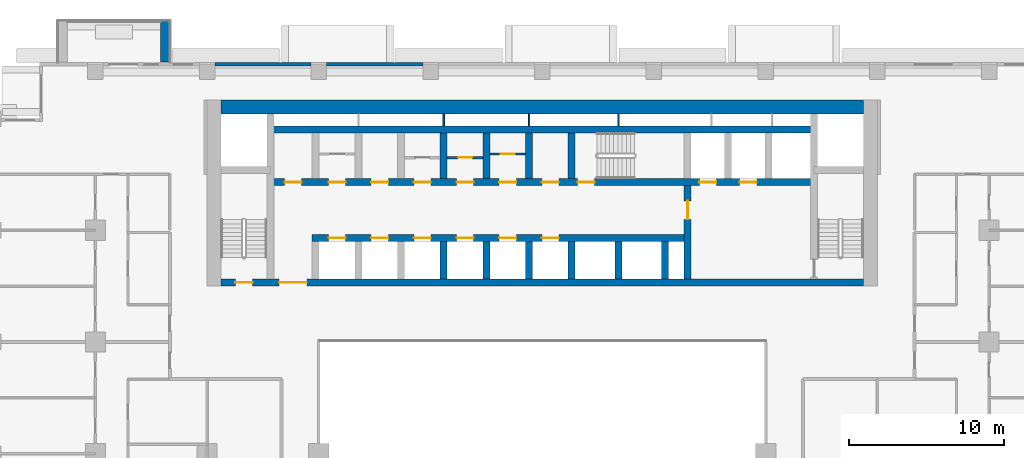
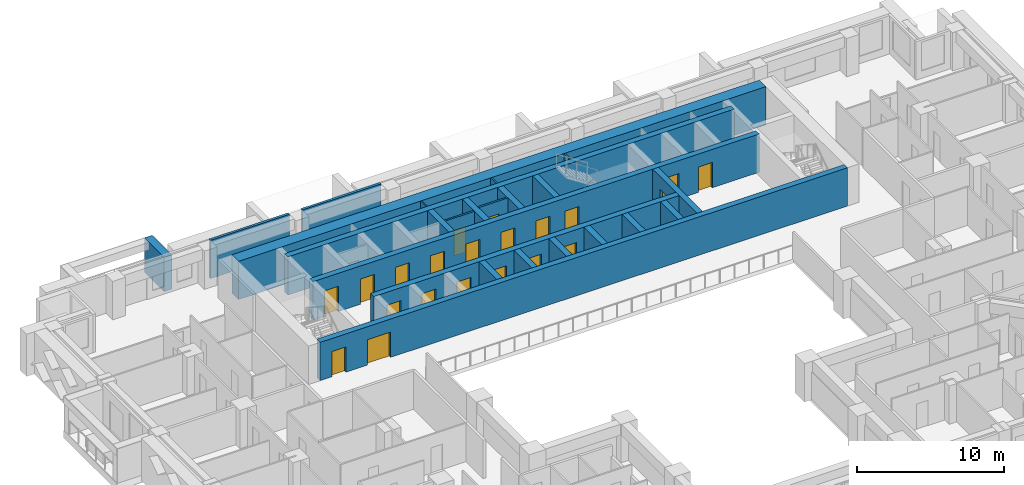
# One storey, part 10 of 17: 24 walls, 21 doors, 21 openings.
"""IFC4 building model written with IfcOpenShell, lengths in metres."""

from ifc_helpers import new_model, si_unit, direction, frame, frame_2d, origin, place, context, subcontext, project, spatial, rectangle, extrude, material, layer, layer_set, type_object, element, fill, save


model = new_model("IFC4")

# Units and contexts
model_context = context("Model", 3, precision=1e-05, world=origin(), true_north=direction((0.0, 1.0)))
body_context = subcontext(model_context, "Body", "Model", "MODEL_VIEW")
ifc_project = project(units=[si_unit("LENGTHUNIT", "METRE"), si_unit("AREAUNIT", "SQUARE_METRE"), si_unit("VOLUMEUNIT", "CUBIC_METRE"), si_unit("PLANEANGLEUNIT", "RADIAN"), si_unit("MASSUNIT", "GRAM", prefix="KILO")], contexts=[model_context])

# Site, building, storey
site_placement = place(None, origin())
site = spatial("IfcSite", under=ifc_project, at=site_placement, CompositionType="ELEMENT")
building_placement = place(site_placement, origin())
building = spatial("IfcBuilding", under=site, at=building_placement, Name="Saffron Iwan Residences", CompositionType="ELEMENT")
storey_placement = place(building_placement, frame((0.0, 0.0, 79.5)))
storey = spatial("IfcBuildingStorey", under=building, at=storey_placement, Name="L20", CompositionType="ELEMENT", Elevation=79.5)

# Wall
ifc_material_1 = material(Name="Concrete C50/60 white painted", Category="concrete")
ifc_layer_1 = layer(ifc_material_1, 0.60009765625)
ifc_layer_set_1 = layer_set([ifc_layer_1], Name="Concrete C50/60 white painted")
wall_type_1 = type_object("IfcWallType", Name="BALCONY FIN 600", PredefinedType="SOLIDWALL", material=ifc_layer_set_1)
wall_1_placement = place(storey_placement, frame((26.10009765625, 80.449951171875, 0.0), z_axis=(0.0, 0.0, 1.0), x_axis=(0.0, 1.0, 0.0)))
element("IfcWall", 1, at=wall_1_placement, inside=storey, type_object=wall_type_1, Name="Balcony fin L20 F5-3a", PredefinedType="SOLIDWALL", context=body_context, shape_type="SweptSolid", body=[
    extrude(rectangle(XDim=2.650146484375, YDim=0.60009765625, at=frame_2d((1.3251953125, 0.0))), origin(), (0.0, 0.0, 1.0), 2.85009765625),
])

# Wall, opening, door
ifc_material_2 = material(Name="Fire-rated plasterboard partition")
ifc_layer_2 = layer(ifc_material_2, 0.14990234375)
ifc_layer_set_2 = layer_set([ifc_layer_2], Name="Fire-rated plasterboard partition")
wall_type_2 = type_object("IfcWallType", Name="Core partition 150", PredefinedType="PARTITIONING", material=ifc_layer_set_2)
wall_2_placement = place(storey_placement, frame((44.27490234375, 74.281982421875, 0.0), z_axis=(0.0, 0.0, 1.0), x_axis=(1.0, 0.0, 0.0)))
wall_2 = element("IfcWall", 2, at=wall_2_placement, inside=storey, type_object=wall_type_2, Name="Core partition P03", PredefinedType="PARTITIONING", context=body_context, shape_type="SweptSolid", body=[
    extrude(rectangle(XDim=2.300048828125, YDim=0.14990234375, at=frame_2d((1.14990234375, 0.0))), origin(), (0.0, 0.0, 1.0), 3.179931640625),
])
opening_1_placement = place(wall_2_placement, frame((0.699951171875, 0.0, 0.0)))
opening_1 = element("IfcOpeningElement", 3, at=opening_1_placement, cuts=wall_2, Name="Opening SB", PredefinedType="OPENING", context=body_context, shape_type="SweptSolid", body=[
    extrude(rectangle(XDim=0.89990234375, YDim=2.10009765625, at=frame_2d((0.449951171875, 1.050048828125))), frame((0.0, 0.0849609375, 0.0), z_axis=(0.0, -1.0, 0.0), x_axis=(1.0, 0.0, 0.0)), (0.0, 0.0, 1.0), 0.169921875),
])
ifc_material_3 = material(Name="Steel fire door", Category="steel")
door_type_1 = type_object("IfcDoorType", Name="Store door 900", OperationType="NOTDEFINED", PredefinedType="DOOR", material=ifc_material_3)
door_1_placement = place(opening_1_placement, origin())
door_1 = element("IfcDoor", 4, at=door_1_placement, inside=storey, type_object=door_type_1, Name="Door Battery room", OperationType="SINGLE_SWING_RIGHT", OverallHeight=2.10009765625, OverallWidth=0.89990234375, PredefinedType="DOOR", context=body_context, shape_type="SweptSolid", body=[
    extrude(rectangle(XDim=0.89990234375, YDim=2.10009765625, at=frame_2d((0.449951171875, 1.050048828125))), frame((0.0, 0.02490234375, 0.0), z_axis=(0.0, -1.0, 0.0), x_axis=(1.0, 0.0, 0.0)), (0.0, 0.0, 1.0), 0.050048828125),
])
fill(opening_1, door_1)

wall_3_placement = place(storey_placement, frame((47.02490234375, 74.51806640625, 0.0), z_axis=(0.0, 0.0, 1.0), x_axis=(1.0, 0.0, 0.0)))
wall_3 = element("IfcWall", 5, at=wall_3_placement, inside=storey, type_object=wall_type_2, Name="Core partition P04", PredefinedType="PARTITIONING", context=body_context, shape_type="SweptSolid", body=[
    extrude(rectangle(XDim=2.300048828125, YDim=0.14990234375, at=frame_2d((1.14990234375, 0.0))), origin(), (0.0, 0.0, 1.0), 3.179931640625),
])
opening_2_placement = place(wall_3_placement, frame((0.699951171875, 0.0, 0.0)))
opening_2 = element("IfcOpeningElement", 6, at=opening_2_placement, cuts=wall_3, Name="Opening SB", PredefinedType="OPENING", context=body_context, shape_type="SweptSolid", body=[
    extrude(rectangle(XDim=0.89990234375, YDim=2.10009765625, at=frame_2d((0.449951171875, 1.050048828125))), frame((0.0, 0.0849609375, 0.0), z_axis=(0.0, -1.0, 0.0), x_axis=(1.0, 0.0, 0.0)), (0.0, 0.0, 1.0), 0.169921875),
])
door_2_placement = place(opening_2_placement, origin())
door_2 = element("IfcDoor", 7, at=door_2_placement, inside=storey, type_object=door_type_1, Name="Door Records store", OperationType="SINGLE_SWING_RIGHT", OverallHeight=2.10009765625, OverallWidth=0.89990234375, PredefinedType="DOOR", context=body_context, shape_type="SweptSolid", body=[
    extrude(rectangle(XDim=0.89990234375, YDim=2.10009765625, at=frame_2d((0.449951171875, 1.050048828125))), frame((0.0, 0.02490234375, 0.0), z_axis=(0.0, -1.0, 0.0), x_axis=(1.0, 0.0, 0.0)), (0.0, 0.0, 1.0), 0.050048828125),
])
fill(opening_2, door_2)

# Walls
ifc_material_4 = material(Name="Concrete C40/50", Category="concrete")
ifc_layer_3 = layer(ifc_material_4, 0.199951171875)
ifc_layer_set_3 = layer_set([ifc_layer_3], Name="Concrete C40/50")
wall_type_3 = type_object("IfcWallType", Name="EXTERNAL WALL 200", PredefinedType="SOLIDWALL", material=ifc_layer_set_3)
for number, where, z_axis, x_axis, name in (
    (8, (42.699951171875, 80.300048828125, 0.0), (0.0, 0.0, 1.0), (-1.0, 0.0, 0.0), "External wall L20 F5.6"),
    (9, (35.5, 80.300048828125, 0.0), (0.0, 0.0, 1.0), (-1.0, 0.0, 0.0), "External wall L20 F5.7"),
):
    element("IfcWall", number, at=place(storey_placement, frame(where, z_axis=z_axis, x_axis=x_axis)), inside=storey, type_object=wall_type_3, Name=name, PredefinedType="SOLIDWALL", context=body_context, shape_type="SweptSolid", body=[
        extrude(rectangle(XDim=6.199951171875, YDim=0.199951171875, at=frame_2d((3.10009765625, 0.0))), origin(), (0.0, 0.0, 1.0), 3.179931640625),
    ])
ifc_layer_4 = layer(ifc_material_2, 0.10009765625)
ifc_layer_set_4 = layer_set([ifc_layer_4], Name="Fire-rated plasterboard partition")
wall_type_4 = type_object("IfcWallType", Name="Riser partition 100", PredefinedType="PARTITIONING", material=ifc_layer_set_4)
for number, where, z_axis, x_axis, name in (
    (10, (44.050048828125, 76.324951171875, 0.0), (0.0, 0.0, 1.0), (0.0, 1.0, 0.0), "Core partition P06"),
    (11, (49.550048828125, 76.324951171875, 0.0), (0.0, 0.0, 1.0), (0.0, 1.0, 0.0), "Core partition P07"),
    (12, (55.300048828125, 76.324951171875, 0.0), (0.0, 0.0, 1.0), (0.0, 1.0, 0.0), "Core partition P08"),
):
    element("IfcWall", number, at=place(storey_placement, frame(where, z_axis=z_axis, x_axis=x_axis)), inside=storey, type_object=wall_type_4, Name=name, PredefinedType="PARTITIONING", context=body_context, shape_type="SweptSolid", body=[
        extrude(rectangle(XDim=0.775146484375, YDim=0.10009765625, at=frame_2d((0.3876953125, 0.0))), origin(), (0.0, 0.0, 1.0), 3.179931640625),
    ])

# Wall, openings, doors
ifc_material_5 = material(Name="Concrete C60/75", Category="concrete")
ifc_layer_5 = layer(ifc_material_5, 0.449951171875)
ifc_layer_set_5 = layer_set([ifc_layer_5], Name="Concrete C60/75")
wall_type_5 = type_object("IfcWallType", Name="WALL CORE 450 C60/75 3180 HIGH", PredefinedType="SHEAR", material=ifc_layer_set_5)
wall_4_placement = place(storey_placement, frame((29.699951171875, 66.22509765625, 0.0), z_axis=(0.0, 0.0, 1.0), x_axis=(1.0, 0.0, 0.0)))
wall_4 = element("IfcWall", 13, at=wall_4_placement, inside=storey, type_object=wall_type_5, Name="Core wall", PredefinedType="SHEAR", context=body_context, shape_type="SweptSolid", body=[
    extrude(rectangle(XDim=41.400146484375, YDim=0.449951171875, at=frame_2d((20.7001953125, 0.0))), origin(), (0.0, 0.0, 1.0), 3.179931640625),
])
opening_3_placement = place(wall_4_placement, frame((0.925048828125, 0.0, 0.0)))
opening_3 = element("IfcOpeningElement", 14, at=opening_3_placement, cuts=wall_4, Name="Opening SD", PredefinedType="OPENING", context=body_context, shape_type="SweptSolid", body=[
    extrude(rectangle(XDim=1.10009765625, YDim=2.10009765625, at=frame_2d((0.550048828125, 1.050048828125))), frame((0.0, 0.23486328125, 0.0), z_axis=(0.0, -1.0, 0.0), x_axis=(1.0, 0.0, 0.0)), (0.0, 0.0, 1.0), 0.469970703125),
])
opening_4_placement = place(wall_4_placement, frame((3.737548828125, 0.0, 0.0)))
opening_4 = element("IfcOpeningElement", 15, at=opening_4_placement, cuts=wall_4, Name="Opening DD", PredefinedType="OPENING", context=body_context, shape_type="SweptSolid", body=[
    extrude(rectangle(XDim=1.800048828125, YDim=2.10009765625, at=frame_2d((0.89990234375, 1.050048828125))), frame((0.0, 0.23486328125, 0.0), z_axis=(0.0, -1.0, 0.0), x_axis=(1.0, 0.0, 0.0)), (0.0, 0.0, 1.0), 0.469970703125),
])
door_type_2 = type_object("IfcDoorType", Name="Lobby double door 1800", OperationType="DOUBLE_DOOR_SINGLE_SWING", PredefinedType="DOOR", material=ifc_material_3)
door_3_placement = place(opening_4_placement, origin())
door_3 = element("IfcDoor", 16, at=door_3_placement, inside=storey, type_object=door_type_2, Name="Lobby doors", OperationType="DOUBLE_DOOR_SINGLE_SWING", OverallHeight=2.10009765625, OverallWidth=1.800048828125, PredefinedType="DOOR", context=body_context, shape_type="SweptSolid", body=[
    extrude(rectangle(XDim=1.800048828125, YDim=2.10009765625, at=frame_2d((0.89990234375, 1.050048828125))), frame((0.0, 0.02490234375, 0.0), z_axis=(0.0, -1.0, 0.0), x_axis=(1.0, 0.0, 0.0)), (0.0, 0.0, 1.0), 0.050048828125),
])
fill(opening_4, door_3)
door_type_3 = type_object("IfcDoorType", Name="Stair door 1100", OperationType="NOTDEFINED", PredefinedType="DOOR", material=ifc_material_3)
door_4_placement = place(opening_3_placement, origin())
door_4 = element("IfcDoor", 17, at=door_4_placement, inside=storey, type_object=door_type_3, Name="Stair door ST-W", OperationType="SINGLE_SWING_LEFT", OverallHeight=2.10009765625, OverallWidth=1.10009765625, PredefinedType="DOOR", context=body_context, shape_type="SweptSolid", body=[
    extrude(rectangle(XDim=1.10009765625, YDim=2.10009765625, at=frame_2d((0.550048828125, 1.050048828125))), frame((0.0, 0.02490234375, 0.0), z_axis=(0.0, -1.0, 0.0), x_axis=(1.0, 0.0, 0.0)), (0.0, 0.0, 1.0), 0.050048828125),
])
fill(opening_3, door_4)

wall_5_placement = place(storey_placement, frame((35.574951171875, 69.10009765625, 0.0), z_axis=(0.0, 0.0, 1.0), x_axis=(1.0, 0.0, 0.0)))
wall_5 = element("IfcWall", 18, at=wall_5_placement, inside=storey, type_object=wall_type_5, Name="Core wall", PredefinedType="SHEAR", context=body_context, shape_type="SweptSolid", body=[
    extrude(rectangle(XDim=24.199951171875, YDim=0.449951171875, at=frame_2d((12.10009765625, 0.0))), origin(), (0.0, 0.0, 1.0), 3.179931640625),
])
opening_5_placement = place(wall_5_placement, frame((1.050048828125, 0.0, 0.0)))
opening_5 = element("IfcOpeningElement", 19, at=opening_5_placement, cuts=wall_5, Name="Opening LD", PredefinedType="OPENING", context=body_context, shape_type="SweptSolid", body=[
    extrude(rectangle(XDim=1.10009765625, YDim=2.10009765625, at=frame_2d((0.550048828125, 1.050048828125))), frame((0.0, 0.23486328125, 0.0), z_axis=(0.0, -1.0, 0.0), x_axis=(1.0, 0.0, 0.0)), (0.0, 0.0, 1.0), 0.469970703125),
])
opening_6_placement = place(wall_5_placement, frame((3.800048828125, 0.0, 0.0)))
opening_6 = element("IfcOpeningElement", 20, at=opening_6_placement, cuts=wall_5, Name="Opening LD", PredefinedType="OPENING", context=body_context, shape_type="SweptSolid", body=[
    extrude(rectangle(XDim=1.10009765625, YDim=2.10009765625, at=frame_2d((0.550048828125, 1.050048828125))), frame((0.0, 0.23486328125, 0.0), z_axis=(0.0, -1.0, 0.0), x_axis=(1.0, 0.0, 0.0)), (0.0, 0.0, 1.0), 0.469970703125),
])
opening_7_placement = place(wall_5_placement, frame((6.550048828125, 0.0, 0.0)))
opening_7 = element("IfcOpeningElement", 21, at=opening_7_placement, cuts=wall_5, Name="Opening LD", PredefinedType="OPENING", context=body_context, shape_type="SweptSolid", body=[
    extrude(rectangle(XDim=1.10009765625, YDim=2.10009765625, at=frame_2d((0.550048828125, 1.050048828125))), frame((0.0, 0.23486328125, 0.0), z_axis=(0.0, -1.0, 0.0), x_axis=(1.0, 0.0, 0.0)), (0.0, 0.0, 1.0), 0.469970703125),
])
opening_8_placement = place(wall_5_placement, frame((9.300048828125, 0.0, 0.0)))
opening_8 = element("IfcOpeningElement", 22, at=opening_8_placement, cuts=wall_5, Name="Opening LD", PredefinedType="OPENING", context=body_context, shape_type="SweptSolid", body=[
    extrude(rectangle(XDim=1.10009765625, YDim=2.10009765625, at=frame_2d((0.550048828125, 1.050048828125))), frame((0.0, 0.23486328125, 0.0), z_axis=(0.0, -1.0, 0.0), x_axis=(1.0, 0.0, 0.0)), (0.0, 0.0, 1.0), 0.469970703125),
])
opening_9_placement = place(wall_5_placement, frame((12.050048828125, 0.0, 0.0)))
opening_9 = element("IfcOpeningElement", 23, at=opening_9_placement, cuts=wall_5, Name="Opening LD", PredefinedType="OPENING", context=body_context, shape_type="SweptSolid", body=[
    extrude(rectangle(XDim=1.10009765625, YDim=2.10009765625, at=frame_2d((0.550048828125, 1.050048828125))), frame((0.0, 0.23486328125, 0.0), z_axis=(0.0, -1.0, 0.0), x_axis=(1.0, 0.0, 0.0)), (0.0, 0.0, 1.0), 0.469970703125),
])
opening_10_placement = place(wall_5_placement, frame((14.800048828125, 0.0, 0.0)))
opening_10 = element("IfcOpeningElement", 24, at=opening_10_placement, cuts=wall_5, Name="Opening LD", PredefinedType="OPENING", context=body_context, shape_type="SweptSolid", body=[
    extrude(rectangle(XDim=1.10009765625, YDim=2.10009765625, at=frame_2d((0.550048828125, 1.050048828125))), frame((0.0, 0.23486328125, 0.0), z_axis=(0.0, -1.0, 0.0), x_axis=(1.0, 0.0, 0.0)), (0.0, 0.0, 1.0), 0.469970703125),
])
door_type_4 = type_object("IfcDoorType", Name="Lift landing door 1100", OperationType="SLIDING_TO_LEFT", PredefinedType="DOOR", material=ifc_material_3)
door_5_placement = place(opening_5_placement, origin())
door_5 = element("IfcDoor", 25, at=door_5_placement, inside=storey, type_object=door_type_4, Name="Landing doors LR1", OperationType="SLIDING_TO_LEFT", OverallHeight=2.10009765625, OverallWidth=1.10009765625, PredefinedType="DOOR", context=body_context, shape_type="SweptSolid", body=[
    extrude(rectangle(XDim=1.10009765625, YDim=2.10009765625, at=frame_2d((0.550048828125, 1.050048828125))), frame((0.0, 0.02490234375, 0.0), z_axis=(0.0, -1.0, 0.0), x_axis=(1.0, 0.0, 0.0)), (0.0, 0.0, 1.0), 0.050048828125),
])
fill(opening_5, door_5)
door_6_placement = place(opening_6_placement, origin())
door_6 = element("IfcDoor", 26, at=door_6_placement, inside=storey, type_object=door_type_4, Name="Landing doors LR2", OperationType="SLIDING_TO_LEFT", OverallHeight=2.10009765625, OverallWidth=1.10009765625, PredefinedType="DOOR", context=body_context, shape_type="SweptSolid", body=[
    extrude(rectangle(XDim=1.10009765625, YDim=2.10009765625, at=frame_2d((0.550048828125, 1.050048828125))), frame((0.0, 0.02490234375, 0.0), z_axis=(0.0, -1.0, 0.0), x_axis=(1.0, 0.0, 0.0)), (0.0, 0.0, 1.0), 0.050048828125),
])
fill(opening_6, door_6)
door_7_placement = place(opening_7_placement, origin())
door_7 = element("IfcDoor", 27, at=door_7_placement, inside=storey, type_object=door_type_4, Name="Landing doors LR3", OperationType="SLIDING_TO_LEFT", OverallHeight=2.10009765625, OverallWidth=1.10009765625, PredefinedType="DOOR", context=body_context, shape_type="SweptSolid", body=[
    extrude(rectangle(XDim=1.10009765625, YDim=2.10009765625, at=frame_2d((0.550048828125, 1.050048828125))), frame((0.0, 0.02490234375, 0.0), z_axis=(0.0, -1.0, 0.0), x_axis=(1.0, 0.0, 0.0)), (0.0, 0.0, 1.0), 0.050048828125),
])
fill(opening_7, door_7)
door_8_placement = place(opening_8_placement, origin())
door_8 = element("IfcDoor", 28, at=door_8_placement, inside=storey, type_object=door_type_4, Name="Landing doors LR4", OperationType="SLIDING_TO_LEFT", OverallHeight=2.10009765625, OverallWidth=1.10009765625, PredefinedType="DOOR", context=body_context, shape_type="SweptSolid", body=[
    extrude(rectangle(XDim=1.10009765625, YDim=2.10009765625, at=frame_2d((0.550048828125, 1.050048828125))), frame((0.0, 0.02490234375, 0.0), z_axis=(0.0, -1.0, 0.0), x_axis=(1.0, 0.0, 0.0)), (0.0, 0.0, 1.0), 0.050048828125),
])
fill(opening_8, door_8)
door_9_placement = place(opening_9_placement, origin())
door_9 = element("IfcDoor", 29, at=door_9_placement, inside=storey, type_object=door_type_4, Name="Landing doors LR5", OperationType="SLIDING_TO_LEFT", OverallHeight=2.10009765625, OverallWidth=1.10009765625, PredefinedType="DOOR", context=body_context, shape_type="SweptSolid", body=[
    extrude(rectangle(XDim=1.10009765625, YDim=2.10009765625, at=frame_2d((0.550048828125, 1.050048828125))), frame((0.0, 0.02490234375, 0.0), z_axis=(0.0, -1.0, 0.0), x_axis=(1.0, 0.0, 0.0)), (0.0, 0.0, 1.0), 0.050048828125),
])
fill(opening_9, door_9)
door_10_placement = place(opening_10_placement, origin())
door_10 = element("IfcDoor", 30, at=door_10_placement, inside=storey, type_object=door_type_4, Name="Landing doors LR6", OperationType="SLIDING_TO_LEFT", OverallHeight=2.10009765625, OverallWidth=1.10009765625, PredefinedType="DOOR", context=body_context, shape_type="SweptSolid", body=[
    extrude(rectangle(XDim=1.10009765625, YDim=2.10009765625, at=frame_2d((0.550048828125, 1.050048828125))), frame((0.0, 0.02490234375, 0.0), z_axis=(0.0, -1.0, 0.0), x_axis=(1.0, 0.0, 0.0)), (0.0, 0.0, 1.0), 0.050048828125),
])
fill(opening_10, door_10)

wall_6_placement = place(storey_placement, frame((32.875, 72.699951171875, 0.0), z_axis=(0.0, 0.0, 1.0), x_axis=(1.0, 0.0, 0.0)))
wall_6 = element("IfcWall", 31, at=wall_6_placement, inside=storey, type_object=wall_type_5, Name="Core wall", PredefinedType="SHEAR", context=body_context, shape_type="SweptSolid", body=[
    extrude(rectangle(XDim=35.050048828125, YDim=0.449951171875, at=frame_2d((17.52490234375, 0.0))), origin(), (0.0, 0.0, 1.0), 3.179931640625),
])
opening_11_placement = place(wall_6_placement, frame((19.800048828125, 0.0, 0.0)))
opening_11 = element("IfcOpeningElement", 32, at=opening_11_placement, cuts=wall_6, Name="Opening SD", PredefinedType="OPENING", context=body_context, shape_type="SweptSolid", body=[
    extrude(rectangle(XDim=1.10009765625, YDim=2.10009765625, at=frame_2d((0.550048828125, 1.050048828125))), frame((0.0, 0.23486328125, 0.0), z_axis=(0.0, -1.0, 0.0), x_axis=(1.0, 0.0, 0.0)), (0.0, 0.0, 1.0), 0.469970703125),
])
opening_12_placement = place(wall_6_placement, frame((27.64990234375, 0.0, 0.0)))
opening_12 = element("IfcOpeningElement", 33, at=opening_12_placement, cuts=wall_6, Name="Opening LD", PredefinedType="OPENING", context=body_context, shape_type="SweptSolid", body=[
    extrude(rectangle(XDim=1.10009765625, YDim=2.10009765625, at=frame_2d((0.550048828125, 1.050048828125))), frame((0.0, 0.23486328125, 0.0), z_axis=(0.0, -1.0, 0.0), x_axis=(1.0, 0.0, 0.0)), (0.0, 0.0, 1.0), 0.469970703125),
])
opening_13_placement = place(wall_6_placement, frame((30.25, 0.0, 0.0)))
opening_13 = element("IfcOpeningElement", 34, at=opening_13_placement, cuts=wall_6, Name="Opening LD", PredefinedType="OPENING", context=body_context, shape_type="SweptSolid", body=[
    extrude(rectangle(XDim=1.10009765625, YDim=2.10009765625, at=frame_2d((0.550048828125, 1.050048828125))), frame((0.0, 0.23486328125, 0.0), z_axis=(0.0, -1.0, 0.0), x_axis=(1.0, 0.0, 0.0)), (0.0, 0.0, 1.0), 0.469970703125),
])
opening_14_placement = place(wall_6_placement, frame((3.75, 0.0, 0.0)))
opening_14 = element("IfcOpeningElement", 35, at=opening_14_placement, cuts=wall_6, Name="Opening SR", PredefinedType="OPENING", context=body_context, shape_type="SweptSolid", body=[
    extrude(rectangle(XDim=1.10009765625, YDim=2.10009765625, at=frame_2d((0.550048828125, 1.050048828125))), frame((0.0, 0.23486328125, 0.0), z_axis=(0.0, -1.0, 0.0), x_axis=(1.0, 0.0, 0.0)), (0.0, 0.0, 1.0), 0.469970703125),
])
opening_15_placement = place(wall_6_placement, frame((6.5, 0.0, 0.0)))
opening_15 = element("IfcOpeningElement", 36, at=opening_15_placement, cuts=wall_6, Name="Opening SR", PredefinedType="OPENING", context=body_context, shape_type="SweptSolid", body=[
    extrude(rectangle(XDim=1.10009765625, YDim=2.10009765625, at=frame_2d((0.550048828125, 1.050048828125))), frame((0.0, 0.23486328125, 0.0), z_axis=(0.0, -1.0, 0.0), x_axis=(1.0, 0.0, 0.0)), (0.0, 0.0, 1.0), 0.469970703125),
])
opening_16_placement = place(wall_6_placement, frame((9.25, 0.0, 0.0)))
opening_16 = element("IfcOpeningElement", 37, at=opening_16_placement, cuts=wall_6, Name="Opening SR", PredefinedType="OPENING", context=body_context, shape_type="SweptSolid", body=[
    extrude(rectangle(XDim=1.10009765625, YDim=2.10009765625, at=frame_2d((0.550048828125, 1.050048828125))), frame((0.0, 0.23486328125, 0.0), z_axis=(0.0, -1.0, 0.0), x_axis=(1.0, 0.0, 0.0)), (0.0, 0.0, 1.0), 0.469970703125),
])
opening_17_placement = place(wall_6_placement, frame((12.0, 0.0, 0.0)))
opening_17 = element("IfcOpeningElement", 38, at=opening_17_placement, cuts=wall_6, Name="Opening SR", PredefinedType="OPENING", context=body_context, shape_type="SweptSolid", body=[
    extrude(rectangle(XDim=1.10009765625, YDim=2.10009765625, at=frame_2d((0.550048828125, 1.050048828125))), frame((0.0, 0.23486328125, 0.0), z_axis=(0.0, -1.0, 0.0), x_axis=(1.0, 0.0, 0.0)), (0.0, 0.0, 1.0), 0.469970703125),
])
opening_18_placement = place(wall_6_placement, frame((14.75, 0.0, 0.0)))
opening_18 = element("IfcOpeningElement", 39, at=opening_18_placement, cuts=wall_6, Name="Opening SR", PredefinedType="OPENING", context=body_context, shape_type="SweptSolid", body=[
    extrude(rectangle(XDim=1.10009765625, YDim=2.10009765625, at=frame_2d((0.550048828125, 1.050048828125))), frame((0.0, 0.23486328125, 0.0), z_axis=(0.0, -1.0, 0.0), x_axis=(1.0, 0.0, 0.0)), (0.0, 0.0, 1.0), 0.469970703125),
])
opening_19_placement = place(wall_6_placement, frame((17.5, 0.0, 0.0)))
opening_19 = element("IfcOpeningElement", 40, at=opening_19_placement, cuts=wall_6, Name="Opening SR", PredefinedType="OPENING", context=body_context, shape_type="SweptSolid", body=[
    extrude(rectangle(XDim=1.10009765625, YDim=2.10009765625, at=frame_2d((0.550048828125, 1.050048828125))), frame((0.0, 0.23486328125, 0.0), z_axis=(0.0, -1.0, 0.0), x_axis=(1.0, 0.0, 0.0)), (0.0, 0.0, 1.0), 0.469970703125),
])
opening_20_placement = place(wall_6_placement, frame((0.91259765625, 0.0, 0.0)))
opening_20 = element("IfcOpeningElement", 41, at=opening_20_placement, cuts=wall_6, Name="Opening SR", PredefinedType="OPENING", context=body_context, shape_type="SweptSolid", body=[
    extrude(rectangle(XDim=1.10009765625, YDim=2.10009765625, at=frame_2d((0.550048828125, 1.050048828125))), frame((0.0, 0.23486328125, 0.0), z_axis=(0.0, -1.0, 0.0), x_axis=(1.0, 0.0, 0.0)), (0.0, 0.0, 1.0), 0.469970703125),
])
door_11_placement = place(opening_12_placement, origin())
door_11 = element("IfcDoor", 42, at=door_11_placement, inside=storey, type_object=door_type_4, Name="Landing doors FF1", OperationType="SLIDING_TO_LEFT", OverallHeight=2.10009765625, OverallWidth=1.10009765625, PredefinedType="DOOR", context=body_context, shape_type="SweptSolid", body=[
    extrude(rectangle(XDim=1.10009765625, YDim=2.10009765625, at=frame_2d((0.550048828125, 1.050048828125))), frame((0.0, 0.02490234375, 0.0), z_axis=(0.0, -1.0, 0.0), x_axis=(1.0, 0.0, 0.0)), (0.0, 0.0, 1.0), 0.050048828125),
])
fill(opening_12, door_11)
door_12_placement = place(opening_13_placement, origin())
door_12 = element("IfcDoor", 43, at=door_12_placement, inside=storey, type_object=door_type_4, Name="Landing doors FF2", OperationType="SLIDING_TO_LEFT", OverallHeight=2.10009765625, OverallWidth=1.10009765625, PredefinedType="DOOR", context=body_context, shape_type="SweptSolid", body=[
    extrude(rectangle(XDim=1.10009765625, YDim=2.10009765625, at=frame_2d((0.550048828125, 1.050048828125))), frame((0.0, 0.02490234375, 0.0), z_axis=(0.0, -1.0, 0.0), x_axis=(1.0, 0.0, 0.0)), (0.0, 0.0, 1.0), 0.050048828125),
])
fill(opening_13, door_12)
door_type_5 = type_object("IfcDoorType", Name="Service door 1100", OperationType="NOTDEFINED", PredefinedType="DOOR", material=ifc_material_3)
door_13_placement = place(opening_14_placement, origin())
door_13 = element("IfcDoor", 44, at=door_13_placement, inside=storey, type_object=door_type_5, Name="Door Linen store", OperationType="SINGLE_SWING_LEFT", OverallHeight=2.10009765625, OverallWidth=1.10009765625, PredefinedType="DOOR", context=body_context, shape_type="SweptSolid", body=[
    extrude(rectangle(XDim=1.10009765625, YDim=2.10009765625, at=frame_2d((0.550048828125, 1.050048828125))), frame((0.0, 0.02490234375, 0.0), z_axis=(0.0, -1.0, 0.0), x_axis=(1.0, 0.0, 0.0)), (0.0, 0.0, 1.0), 0.050048828125),
])
fill(opening_14, door_13)
door_14_placement = place(opening_15_placement, origin())
door_14 = element("IfcDoor", 45, at=door_14_placement, inside=storey, type_object=door_type_5, Name="Door Pantry", OperationType="SINGLE_SWING_LEFT", OverallHeight=2.10009765625, OverallWidth=1.10009765625, PredefinedType="DOOR", context=body_context, shape_type="SweptSolid", body=[
    extrude(rectangle(XDim=1.10009765625, YDim=2.10009765625, at=frame_2d((0.550048828125, 1.050048828125))), frame((0.0, 0.02490234375, 0.0), z_axis=(0.0, -1.0, 0.0), x_axis=(1.0, 0.0, 0.0)), (0.0, 0.0, 1.0), 0.050048828125),
])
fill(opening_15, door_14)
door_15_placement = place(opening_16_placement, origin())
door_15 = element("IfcDoor", 46, at=door_15_placement, inside=storey, type_object=door_type_5, Name="Door Electrical room", OperationType="SINGLE_SWING_LEFT", OverallHeight=2.10009765625, OverallWidth=1.10009765625, PredefinedType="DOOR", context=body_context, shape_type="SweptSolid", body=[
    extrude(rectangle(XDim=1.10009765625, YDim=2.10009765625, at=frame_2d((0.550048828125, 1.050048828125))), frame((0.0, 0.02490234375, 0.0), z_axis=(0.0, -1.0, 0.0), x_axis=(1.0, 0.0, 0.0)), (0.0, 0.0, 1.0), 0.050048828125),
])
fill(opening_16, door_15)
door_16_placement = place(opening_17_placement, origin())
door_16 = element("IfcDoor", 47, at=door_16_placement, inside=storey, type_object=door_type_5, Name="Door Luggage store", OperationType="SINGLE_SWING_LEFT", OverallHeight=2.10009765625, OverallWidth=1.10009765625, PredefinedType="DOOR", context=body_context, shape_type="SweptSolid", body=[
    extrude(rectangle(XDim=1.10009765625, YDim=2.10009765625, at=frame_2d((0.550048828125, 1.050048828125))), frame((0.0, 0.02490234375, 0.0), z_axis=(0.0, -1.0, 0.0), x_axis=(1.0, 0.0, 0.0)), (0.0, 0.0, 1.0), 0.050048828125),
])
fill(opening_17, door_16)
door_17_placement = place(opening_18_placement, origin())
door_17 = element("IfcDoor", 48, at=door_17_placement, inside=storey, type_object=door_type_5, Name="Door Refuse store", OperationType="SINGLE_SWING_LEFT", OverallHeight=2.10009765625, OverallWidth=1.10009765625, PredefinedType="DOOR", context=body_context, shape_type="SweptSolid", body=[
    extrude(rectangle(XDim=1.10009765625, YDim=2.10009765625, at=frame_2d((0.550048828125, 1.050048828125))), frame((0.0, 0.02490234375, 0.0), z_axis=(0.0, -1.0, 0.0), x_axis=(1.0, 0.0, 0.0)), (0.0, 0.0, 1.0), 0.050048828125),
])
fill(opening_18, door_17)
door_18_placement = place(opening_19_placement, origin())
door_18 = element("IfcDoor", 49, at=door_18_placement, inside=storey, type_object=door_type_5, Name="Door Maintenance store", OperationType="SINGLE_SWING_LEFT", OverallHeight=2.10009765625, OverallWidth=1.10009765625, PredefinedType="DOOR", context=body_context, shape_type="SweptSolid", body=[
    extrude(rectangle(XDim=1.10009765625, YDim=2.10009765625, at=frame_2d((0.550048828125, 1.050048828125))), frame((0.0, 0.02490234375, 0.0), z_axis=(0.0, -1.0, 0.0), x_axis=(1.0, 0.0, 0.0)), (0.0, 0.0, 1.0), 0.050048828125),
])
fill(opening_19, door_18)
door_19_placement = place(opening_20_placement, origin())
door_19 = element("IfcDoor", 50, at=door_19_placement, inside=storey, type_object=door_type_5, Name="Door Service room", OperationType="SINGLE_SWING_LEFT", OverallHeight=2.10009765625, OverallWidth=1.10009765625, PredefinedType="DOOR", context=body_context, shape_type="SweptSolid", body=[
    extrude(rectangle(XDim=1.10009765625, YDim=2.10009765625, at=frame_2d((0.550048828125, 1.050048828125))), frame((0.0, 0.02490234375, 0.0), z_axis=(0.0, -1.0, 0.0), x_axis=(1.0, 0.0, 0.0)), (0.0, 0.0, 1.0), 0.050048828125),
])
fill(opening_20, door_19)
door_20_placement = place(opening_11_placement, origin())
door_20 = element("IfcDoor", 51, at=door_20_placement, inside=storey, type_object=door_type_3, Name="Stair door ST-C", OperationType="SINGLE_SWING_LEFT", OverallHeight=2.10009765625, OverallWidth=1.10009765625, PredefinedType="DOOR", context=body_context, shape_type="SweptSolid", body=[
    extrude(rectangle(XDim=1.10009765625, YDim=2.10009765625, at=frame_2d((0.550048828125, 1.050048828125))), frame((0.0, 0.02490234375, 0.0), z_axis=(0.0, -1.0, 0.0), x_axis=(1.0, 0.0, 0.0)), (0.0, 0.0, 1.0), 0.050048828125),
])
fill(opening_11, door_20)

# Wall
wall_7_placement = place(storey_placement, frame((32.875, 76.10009765625, 0.0), z_axis=(0.0, 0.0, 1.0), x_axis=(1.0, 0.0, 0.0)))
element("IfcWall", 52, at=wall_7_placement, inside=storey, type_object=wall_type_5, Name="Core wall", PredefinedType="SHEAR", context=body_context, shape_type="SweptSolid", body=[
    extrude(rectangle(XDim=35.050048828125, YDim=0.449951171875, at=frame_2d((17.52490234375, 0.0))), origin(), (0.0, 0.0, 1.0), 3.179931640625),
])

# Wall, opening, door
wall_8_placement = place(storey_placement, frame((59.77490234375, 66.449951171875, 0.0), z_axis=(0.0, 0.0, 1.0), x_axis=(0.0, 1.0, 0.0)))
wall_8 = element("IfcWall", 53, at=wall_8_placement, inside=storey, type_object=wall_type_5, Name="Core wall", PredefinedType="SHEAR", context=body_context, shape_type="SweptSolid", body=[
    extrude(rectangle(XDim=6.025146484375, YDim=0.449951171875, at=frame_2d((3.0126953125, 0.0))), origin(), (0.0, 0.0, 1.0), 3.179931640625),
])
opening_21_placement = place(wall_8_placement, frame((3.85009765625, 0.0, 0.0)))
opening_21 = element("IfcOpeningElement", 54, at=opening_21_placement, cuts=wall_8, Name="Opening FD", PredefinedType="OPENING", context=body_context, shape_type="SweptSolid", body=[
    extrude(rectangle(XDim=1.199951171875, YDim=2.10009765625, at=frame_2d((0.60009765625, 1.050048828125))), frame((0.0, 0.23486328125, 0.0), z_axis=(0.0, -1.0, 0.0), x_axis=(1.0, 0.0, 0.0)), (0.0, 0.0, 1.0), 0.469970703125),
])
door_type_6 = type_object("IfcDoorType", Name="Firefighting lobby door 1200", OperationType="NOTDEFINED", PredefinedType="DOOR", material=ifc_material_3)
door_21_placement = place(opening_21_placement, origin())
door_21 = element("IfcDoor", 55, at=door_21_placement, inside=storey, type_object=door_type_6, Name="Firefighting lobby door", OperationType="SINGLE_SWING_RIGHT", OverallHeight=2.10009765625, OverallWidth=1.199951171875, PredefinedType="DOOR", context=body_context, shape_type="SweptSolid", body=[
    extrude(rectangle(XDim=1.199951171875, YDim=2.10009765625, at=frame_2d((0.60009765625, 1.050048828125))), frame((0.0, 0.02490234375, 0.0), z_axis=(0.0, -1.0, 0.0), x_axis=(1.0, 0.0, 0.0)), (0.0, 0.0, 1.0), 0.050048828125),
])
fill(opening_21, door_21)

# Walls
for number, where, z_axis, x_axis, name in (
    (56, (44.050048828125, 66.449951171875, 0.0), (0.0, 0.0, 1.0), (0.0, 1.0, 0.0), "Core wall"),
    (57, (46.800048828125, 66.449951171875, 0.0), (0.0, 0.0, 1.0), (0.0, 1.0, 0.0), "Core wall"),
    (58, (49.550048828125, 66.449951171875, 0.0), (0.0, 0.0, 1.0), (0.0, 1.0, 0.0), "Core wall"),
    (59, (52.300048828125, 66.449951171875, 0.0), (0.0, 0.0, 1.0), (0.0, 1.0, 0.0), "Core wall"),
    (60, (55.300048828125, 66.449951171875, 0.0), (0.0, 0.0, 1.0), (0.0, 1.0, 0.0), "Core wall"),
    (61, (58.300048828125, 66.449951171875, 0.0), (0.0, 0.0, 1.0), (0.0, 1.0, 0.0), "Core wall"),
):
    element("IfcWall", number, at=place(storey_placement, frame(where, z_axis=z_axis, x_axis=x_axis)), inside=storey, type_object=wall_type_5, Name=name, PredefinedType="SHEAR", context=body_context, shape_type="SweptSolid", body=[
        extrude(rectangle(XDim=2.425048828125, YDim=0.449951171875, at=frame_2d((1.21240234375, 0.0))), origin(), (0.0, 0.0, 1.0), 3.179931640625),
    ])
for number, where, z_axis, x_axis, name in (
    (62, (44.050048828125, 72.925048828125, 0.0), (0.0, 0.0, 1.0), (0.0, 1.0, 0.0), "Core wall"),
    (63, (46.800048828125, 72.925048828125, 0.0), (0.0, 0.0, 1.0), (0.0, 1.0, 0.0), "Core wall"),
    (64, (49.550048828125, 72.925048828125, 0.0), (0.0, 0.0, 1.0), (0.0, 1.0, 0.0), "Core wall"),
    (65, (52.300048828125, 72.925048828125, 0.0), (0.0, 0.0, 1.0), (0.0, 1.0, 0.0), "Core wall"),
):
    element("IfcWall", number, at=place(storey_placement, frame(where, z_axis=z_axis, x_axis=x_axis)), inside=storey, type_object=wall_type_5, Name=name, PredefinedType="SHEAR", context=body_context, shape_type="SweptSolid", body=[
        extrude(rectangle(XDim=2.949951171875, YDim=0.449951171875, at=frame_2d((1.47509765625, 0.0))), origin(), (0.0, 0.0, 1.0), 3.179931640625),
    ])
ifc_layer_6 = layer(ifc_material_5, 0.89990234375)
ifc_layer_set_6 = layer_set([ifc_layer_6], Name="Concrete C60/75")
wall_type_6 = type_object("IfcWallType", Name="WALL CORE 900 C60/75 3180 HIGH", PredefinedType="SHEAR", material=ifc_layer_set_6)
wall_9_placement = place(storey_placement, frame((29.699951171875, 77.550048828125, 0.0), z_axis=(0.0, 0.0, 1.0), x_axis=(1.0, 0.0, 0.0)))
element("IfcWall", 66, at=wall_9_placement, inside=storey, type_object=wall_type_6, Name="Core wall", PredefinedType="SHEAR", context=body_context, shape_type="SweptSolid", body=[
    extrude(rectangle(XDim=41.400146484375, YDim=0.89990234375, at=frame_2d((20.7001953125, 0.0))), origin(), (0.0, 0.0, 1.0), 3.179931640625),
])

save(model, "model.ifc")
